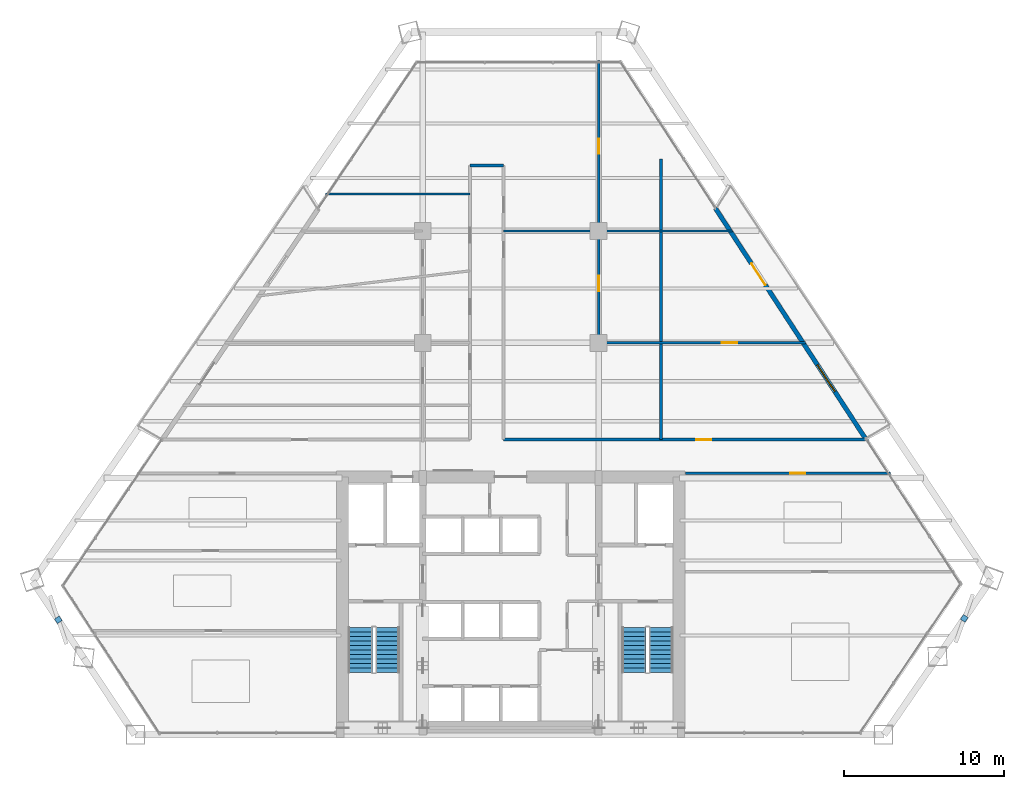
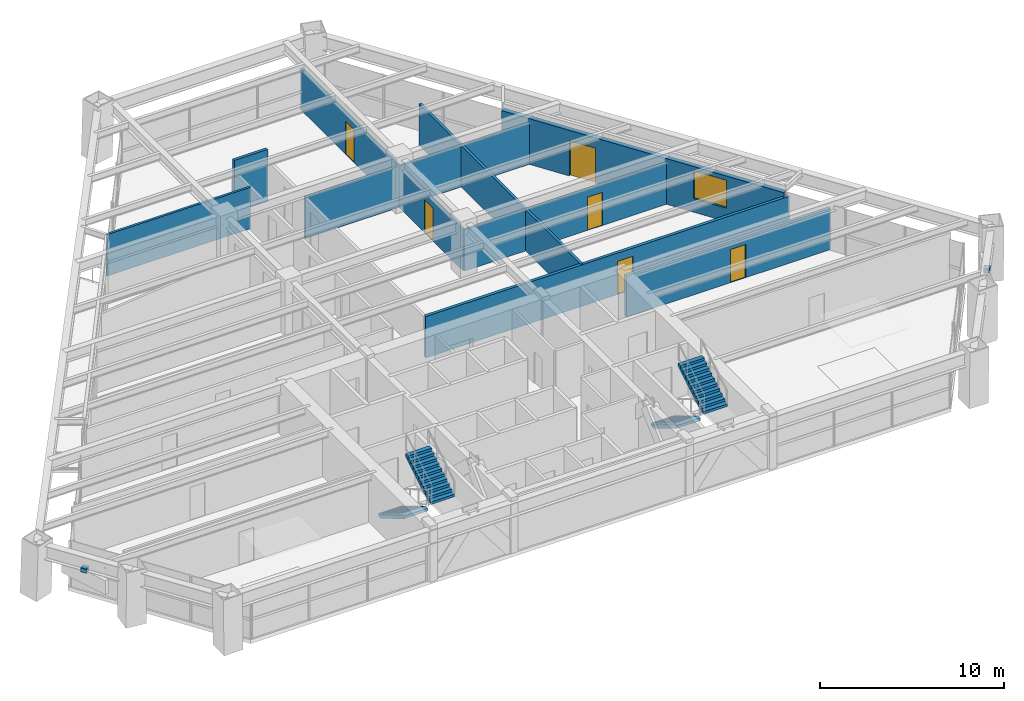
# One storey, part 12 of 14: 9 walls, 6 doors, 4 stair flights, 2 discrete accessories, 1 window, 7 openings, 2 elements without a shape of their own.
"""IFC4 building model written with IfcOpenShell, lengths in metres."""

from ifc_helpers import new_model, si_unit, direction, frame, frame_2d, origin, origin_2d, place, context, subcontext, project, spatial, polyline, rectangle, outline, extrude, source, transform, mapped, material, layer, layer_set, type_object, type_shapes, element, fill, aggregate, save


model = new_model("IFC4")

# Units and contexts
model_context = context("Model", 3, precision=1e-05, world=origin(), true_north=direction((0.0, 1.0)))
body_context = subcontext(model_context, "Body", "Model", "MODEL_VIEW")
ifc_project = project(units=[si_unit("LENGTHUNIT", "METRE"), si_unit("AREAUNIT", "SQUARE_METRE"), si_unit("VOLUMEUNIT", "CUBIC_METRE"), si_unit("PLANEANGLEUNIT", "RADIAN"), si_unit("MASSUNIT", "GRAM", prefix="KILO")], contexts=[model_context])

# Site, building, storey
site_placement = place(None, origin())
site = spatial("IfcSite", under=ifc_project, at=site_placement, CompositionType="ELEMENT")
building_placement = place(site_placement, origin())
building = spatial("IfcBuilding", under=site, at=building_placement, Name="Varnakhor Terracotta Tower", CompositionType="ELEMENT")
storey_placement = place(building_placement, frame((0.0, 0.0, 84.0)))
storey = spatial("IfcBuildingStorey", under=building, at=storey_placement, Name="L20", CompositionType="ELEMENT", Elevation=84.0)

# Wall, opening, door
ifc_material_1 = material(Name="Fire-Rated Gypsum Stud Partition", Category="gypsum")
ifc_layer_1 = layer(ifc_material_1, 0.18505859375, Name="Fire-Rated Gypsum Stud Partition")
ifc_layer_set_1 = layer_set([ifc_layer_1], Name="Fire-Rated Gypsum Stud Partition")
wall_type_1 = type_object("IfcWallType", Name="WAL-CORR-185", PredefinedType="PARTITIONING", material=ifc_layer_set_1)
wall_1_placement = place(storey_placement, frame((10.919921875, 16.35009765625, 0.0), z_axis=(0.0, 0.0, 1.0), x_axis=(1.0, 0.0, 0.0)))
wall_1 = element("IfcWall", 1, at=wall_1_placement, inside=storey, type_object=wall_type_1, Name="L20 South East Corridor Wall", PredefinedType="PARTITIONING", context=body_context, shape_type="SweptSolid", body=[
    extrude(rectangle(XDim=12.8251953125, YDim=0.18505859375, at=frame_2d((6.41259765625, 0.0))), origin(), (0.0, 0.0, 1.0), 2.7470703125),
])
opening_1_placement = place(wall_1_placement, frame((6.544921875, 0.0, 0.0)))
opening_1 = element("IfcOpeningElement", 2, at=opening_1_placement, cuts=wall_1, Name="Opening DR-94", PredefinedType="OPENING", context=body_context, shape_type="SweptSolid", body=[
    extrude(rectangle(XDim=0.949951171875, YDim=2.199951171875, at=frame_2d((0.47509765625, 1.10009765625))), frame((0.0, 0.1025390625, 0.0), z_axis=(0.0, -1.0, 0.0), x_axis=(1.0, 0.0, 0.0)), (0.0, 0.0, 1.0), 0.205078125),
])
ifc_material_2 = material(Name="Acoustic Glazed-Vision Timber Office Door", Category="wood")
door_type_1 = type_object("IfcDoorType", Name="DR-OFF-950X2200", OperationType="NOTDEFINED", PredefinedType="DOOR", material=ifc_material_2)
shared_shape_1 = source(origin(), body_context, "Body", "SweptSolid", [
    extrude(rectangle(XDim=0.949951171875, YDim=2.199951171875, at=frame_2d((0.47509765625, 1.10009765625))), frame((0.0, 0.02490234375, 0.0), z_axis=(0.0, -1.0, 0.0), x_axis=(1.0, 0.0, 0.0)), (0.0, 0.0, 1.0), 0.050048828125),
])
type_shapes(door_type_1, [shared_shape_1])
door_1_placement = place(opening_1_placement, origin())
door_1 = element("IfcDoor", 3, at=door_1_placement, inside=storey, type_object=door_type_1, Name="L20 SE Suite Door", OperationType="SINGLE_SWING_RIGHT", OverallHeight=2.199951171875, OverallWidth=0.949951171875, PredefinedType="DOOR", context=body_context, shape_type="MappedRepresentation", body=[
    mapped(shared_shape_1, transform((0.0, 0.0, 0.0), scale=1.0)),
])
fill(opening_1, door_1)

wall_2_placement = place(storey_placement, frame((-0.449951171875, 18.449951171875, 0.0), z_axis=(0.0, 0.0, 1.0), x_axis=(1.0, 0.0, 0.0)))
wall_2 = element("IfcWall", 4, at=wall_2_placement, inside=storey, type_object=wall_type_1, Name="L20 Corridor North East Wall", PredefinedType="PARTITIONING", context=body_context, shape_type="SweptSolid", body=[
    extrude(rectangle(XDim=22.82666015625, YDim=0.18505859375, at=frame_2d((11.413330078125, 0.0))), origin(), (0.0, 0.0, 1.0), 2.7470703125),
])
opening_2_placement = place(wall_2_placement, frame((12.045654296875, 0.0, 0.0)))
opening_2 = element("IfcOpeningElement", 5, at=opening_2_placement, cuts=wall_2, Name="Opening DR-94", PredefinedType="OPENING", context=body_context, shape_type="SweptSolid", body=[
    extrude(rectangle(XDim=0.949951171875, YDim=2.199951171875, at=frame_2d((0.47509765625, 1.10009765625))), frame((0.0, 0.1025390625, 0.0), z_axis=(0.0, -1.0, 0.0), x_axis=(1.0, 0.0, 0.0)), (0.0, 0.0, 1.0), 0.205078125),
])
door_2_placement = place(opening_2_placement, origin())
door_2 = element("IfcDoor", 6, at=door_2_placement, inside=storey, type_object=door_type_1, Name="L20 East Workplace Door", OperationType="SINGLE_SWING_RIGHT", OverallHeight=2.199951171875, OverallWidth=0.949951171875, PredefinedType="DOOR", context=body_context, shape_type="MappedRepresentation", body=[
    mapped(shared_shape_1, transform((0.0, 0.0, 0.0), scale=1.0)),
])
fill(opening_2, door_2)

# Wall
wall_3_placement = place(storey_placement, frame((-2.550048828125, 35.60009765625, 0.0), z_axis=(0.0, 0.0, 1.0), x_axis=(1.0, 0.0, 0.0)))
element("IfcWall", 7, at=wall_3_placement, inside=storey, type_object=wall_type_1, Name="L20 Spine North End Wall", PredefinedType="PARTITIONING", context=body_context, shape_type="SweptSolid", body=[
    extrude(rectangle(XDim=2.10009765625, YDim=0.18505859375, at=frame_2d((1.050048828125, 0.0))), origin(), (0.0, 0.0, 1.0), 3.44189453125),
])

# Wall, openings, door, window
ifc_material_3 = material(Name="Extruded Architectural Terracotta Assembly", Category="masonry")
ifc_layer_2 = layer(ifc_material_3, 0.280029296875, Name="Extruded Architectural Terracotta Assembly")
ifc_layer_set_2 = layer_set([ifc_layer_2], Name="Extruded Architectural Terracotta Assembly")
wall_type_2 = type_object("IfcWallType", Name="WAL-EXT-TERRACOTTA-280", PredefinedType="SOLIDWALL", material=ifc_layer_set_2)
wall_4_placement = place(storey_placement, frame((12.79638671875, 32.914306640625, 0.0), z_axis=(0.0, 0.0, 1.0), x_axis=(0.545943631237, -0.837821909186, 0.0)))
wall_4 = element("IfcWall", 8, at=wall_4_placement, inside=storey, type_object=wall_type_2, Name="L20 E Loggia Insulated Terracotta Wall", PredefinedType="SOLIDWALL", context=body_context, shape_type="SweptSolid", body=[
    extrude(rectangle(XDim=17.187255859375, YDim=0.280029296875, at=frame_2d((8.59375, 0.0))), origin(), (0.0, 0.0, 1.0), 3.030029296875),
])
opening_3_placement = place(wall_4_placement, frame((4.125, 0.0, 0.0)))
opening_3 = element("IfcOpeningElement", 9, at=opening_3_placement, cuts=wall_4, Name="Opening DR-62", PredefinedType="OPENING", context=body_context, shape_type="SweptSolid", body=[
    extrude(rectangle(XDim=1.60009765625, YDim=2.35009765625, at=frame_2d((0.800048828125, 1.175048828125))), frame((0.0, 0.14990234375, 0.0), z_axis=(0.0, -1.0, 0.0), x_axis=(1.0, 0.0, 0.0)), (0.0, 0.0, 1.0), 0.300048828125),
])
opening_4_placement = place(wall_4_placement, frame((11.6875, 0.0, 0.89990234375)))
opening_4 = element("IfcOpeningElement", 10, at=opening_4_placement, cuts=wall_4, Name="Opening WN-26", PredefinedType="OPENING", context=body_context, shape_type="SweptSolid", body=[
    extrude(rectangle(XDim=2.0, YDim=1.85009765625, at=frame_2d((1.0, 0.925048828125))), frame((0.0, 0.14990234375, 0.0), z_axis=(0.0, -1.0, 0.0), x_axis=(1.0, 0.0, 0.0)), (0.0, 0.0, 1.0), 0.300048828125),
])
ifc_material_4 = material(Name="Thermally Broken Sliding Glass Loggia Door", Category="glass")
door_type_2 = type_object("IfcDoorType", Name="DR-EXT-LOGGIA-1600X2350", OperationType="NOTDEFINED", PredefinedType="DOOR", material=ifc_material_4)
shared_shape_2 = source(origin(), body_context, "Body", "SweptSolid", [
    extrude(rectangle(XDim=1.60009765625, YDim=2.35009765625, at=frame_2d((0.800048828125, 1.175048828125))), frame((0.0, 0.02490234375, 0.0), z_axis=(0.0, -1.0, 0.0), x_axis=(1.0, 0.0, 0.0)), (0.0, 0.0, 1.0), 0.050048828125),
])
type_shapes(door_type_2, [shared_shape_2])
door_3_placement = place(opening_3_placement, origin())
door_3 = element("IfcDoor", 11, at=door_3_placement, inside=storey, type_object=door_type_2, Name="L20 E Recessed Loggia Sliding Door", OperationType="SLIDING_TO_RIGHT", OverallHeight=2.35009765625, OverallWidth=1.60009765625, PredefinedType="DOOR", context=body_context, shape_type="MappedRepresentation", body=[
    mapped(shared_shape_2, transform((0.0, 0.0, 0.0), scale=1.0)),
])
fill(opening_3, door_3)
ifc_material_5 = material(Name="Solar-Control Low-E Insulated Glass Unit", Category="glass")
window_type = type_object("IfcWindowType", Name="WIN-OFF-2200X2100", PartitioningType="SINGLE_PANEL", PredefinedType="WINDOW", material=ifc_material_5)
shared_shape_3 = source(origin(), body_context, "Body", "SweptSolid", [
    extrude(rectangle(XDim=2.0, YDim=1.85009765625, at=frame_2d((1.0, 0.925048828125))), frame((0.0, 0.030029296875, 0.0), z_axis=(0.0, -1.0, 0.0), x_axis=(1.0, 0.0, 0.0)), (0.0, 0.0, 1.0), 0.06005859375),
])
type_shapes(window_type, [shared_shape_3])
window_placement = place(opening_4_placement, origin())
window = element("IfcWindow", 12, at=window_placement, inside=storey, type_object=window_type, Name="L20 E Facet Punched Window", OverallHeight=1.85009765625, OverallWidth=2.0, PartitioningType="SINGLE_PANEL", PredefinedType="WINDOW", context=body_context, shape_type="MappedRepresentation", body=[
    mapped(shared_shape_3, transform((0.0, 0.0, 0.0), scale=1.0)),
])
fill(opening_4, window)

# Wall, openings, doors
ifc_material_6 = material(Name="Acoustic Metal-Stud Partition", Category="gypsum")
ifc_layer_3 = layer(ifc_material_6, 0.139892578125, Name="Acoustic Metal-Stud Partition")
ifc_layer_set_3 = layer_set([ifc_layer_3], Name="Acoustic Metal-Stud Partition")
wall_type_3 = type_object("IfcWallType", Name="WAL-PART-140", PredefinedType="PARTITIONING", material=ifc_layer_set_3)
wall_5_placement = place(storey_placement, frame((5.5, 24.5, 0.0), z_axis=(0.0, 0.0, 1.0), x_axis=(0.0, 1.0, 0.0)))
wall_5 = element("IfcWall", 13, at=wall_5_placement, inside=storey, type_object=wall_type_3, Name="L20 East Column Line Wall", PredefinedType="PARTITIONING", context=body_context, shape_type="SweptSolid", body=[
    extrude(rectangle(XDim=17.64453125, YDim=0.139892578125, at=frame_2d((8.822265625, 0.0))), origin(), (0.0, 0.0, 1.0), 2.7470703125),
])
opening_5_placement = place(wall_5_placement, frame((3.230224609375, 0.0, 0.0)))
opening_5 = element("IfcOpeningElement", 14, at=opening_5_placement, cuts=wall_5, Name="Opening DR-94", PredefinedType="OPENING", context=body_context, shape_type="SweptSolid", body=[
    extrude(rectangle(XDim=0.949951171875, YDim=2.199951171875, at=frame_2d((0.47509765625, 1.10009765625))), frame((0.0, 0.080078125, 0.0), z_axis=(0.0, -1.0, 0.0), x_axis=(1.0, 0.0, 0.0)), (0.0, 0.0, 1.0), 0.159912109375),
])
opening_6_placement = place(wall_5_placement, frame((11.8125, 0.0, 0.0)))
opening_6 = element("IfcOpeningElement", 15, at=opening_6_placement, cuts=wall_5, Name="Opening DR-94", PredefinedType="OPENING", context=body_context, shape_type="SweptSolid", body=[
    extrude(rectangle(XDim=0.949951171875, YDim=2.199951171875, at=frame_2d((0.47509765625, 1.10009765625))), frame((0.0, 0.080078125, 0.0), z_axis=(0.0, -1.0, 0.0), x_axis=(1.0, 0.0, 0.0)), (0.0, 0.0, 1.0), 0.159912109375),
])
door_4_placement = place(opening_5_placement, origin())
door_4 = element("IfcDoor", 16, at=door_4_placement, inside=storey, type_object=door_type_1, Name="L20 Focus Office B15 Door", OperationType="SINGLE_SWING_RIGHT", OverallHeight=2.199951171875, OverallWidth=0.949951171875, PredefinedType="DOOR", context=body_context, shape_type="MappedRepresentation", body=[
    mapped(shared_shape_1, transform((0.0, 0.0, 0.0), scale=1.0)),
])
fill(opening_5, door_4)
door_5_placement = place(opening_6_placement, origin())
door_5 = element("IfcDoor", 17, at=door_5_placement, inside=storey, type_object=door_type_1, Name="L20 Reception Lounge Door", OperationType="SINGLE_SWING_RIGHT", OverallHeight=2.199951171875, OverallWidth=0.949951171875, PredefinedType="DOOR", context=body_context, shape_type="MappedRepresentation", body=[
    mapped(shared_shape_1, transform((0.0, 0.0, 0.0), scale=1.0)),
])
fill(opening_6, door_5)

# Wall, opening, door
wall_6_placement = place(storey_placement, frame((5.5, 24.5, 0.0), z_axis=(0.0, 0.0, 1.0), x_axis=(1.0, 0.0, 0.0)))
wall_6 = element("IfcWall", 18, at=wall_6_placement, inside=storey, type_object=wall_type_3, Name="L20 Mid East Column Wall", PredefinedType="PARTITIONING", context=body_context, shape_type="SweptSolid", body=[
    extrude(rectangle(XDim=12.9345703125, YDim=0.139892578125, at=frame_2d((6.46728515625, 0.0))), origin(), (0.0, 0.0, 1.0), 2.7470703125),
])
opening_7_placement = place(wall_6_placement, frame((7.70556640625, 0.0, 0.0)))
opening_7 = element("IfcOpeningElement", 19, at=opening_7_placement, cuts=wall_6, Name="Opening DR-94", PredefinedType="OPENING", context=body_context, shape_type="SweptSolid", body=[
    extrude(rectangle(XDim=0.949951171875, YDim=2.199951171875, at=frame_2d((0.47509765625, 1.10009765625))), frame((0.0, 0.080078125, 0.0), z_axis=(0.0, -1.0, 0.0), x_axis=(1.0, 0.0, 0.0)), (0.0, 0.0, 1.0), 0.159912109375),
])
door_6_placement = place(opening_7_placement, origin())
door_6 = element("IfcDoor", 20, at=door_6_placement, inside=storey, type_object=door_type_1, Name="L20 Staff Dining Room Door", OperationType="SINGLE_SWING_LEFT", OverallHeight=2.199951171875, OverallWidth=0.949951171875, PredefinedType="DOOR", context=body_context, shape_type="MappedRepresentation", body=[
    mapped(shared_shape_1, transform((0.0, 0.0, 0.0), scale=1.0)),
])
fill(opening_7, door_6)

# Walls
wall_7_placement = place(storey_placement, frame((-11.557861328125, 33.800048828125, 0.0), z_axis=(0.0, 0.0, 1.0), x_axis=(1.0, 0.0, 0.0)))
element("IfcWall", 21, at=wall_7_placement, inside=storey, type_object=wall_type_3, Name="L20 West Wing Cut 4", PredefinedType="PARTITIONING", context=body_context, shape_type="SweptSolid", body=[
    extrude(rectangle(XDim=9.0078125, YDim=0.139892578125, at=frame_2d((4.50390625, 0.0))), origin(), (0.0, 0.0, 1.0), 2.7470703125),
])
wall_8_placement = place(storey_placement, frame((-0.449951171875, 31.5, 0.0), z_axis=(0.0, 0.0, 1.0), x_axis=(1.0, 0.0, 0.0)))
element("IfcWall", 22, at=wall_8_placement, inside=storey, type_object=wall_type_3, Name="L20 East Wing Cut 1", PredefinedType="PARTITIONING", context=body_context, shape_type="SweptSolid", body=[
    extrude(rectangle(XDim=14.3232421875, YDim=0.139892578125, at=frame_2d((7.16162109375, 0.0))), origin(), (0.0, 0.0, 1.0), 2.7470703125),
])
ifc_material_7 = material(Name="Acoustic Fire-Rated Partition", Category="gypsum")
ifc_layer_4 = layer(ifc_material_7, 0.1650390625, Name="Acoustic Fire-Rated Partition")
ifc_layer_set_4 = layer_set([ifc_layer_4], Name="Acoustic Fire-Rated Partition")
wall_type_4 = type_object("IfcWallType", Name="WAL-TENANCY-165", PredefinedType="PARTITIONING", material=ifc_layer_set_4)
wall_9_placement = place(storey_placement, frame((9.39990234375, 18.449951171875, 0.0), z_axis=(0.0, 0.0, 1.0), x_axis=(0.0, 1.0, 0.0)))
element("IfcWall", 23, at=wall_9_placement, inside=storey, type_object=wall_type_4, Name="L20 East Cellular Line", PredefinedType="PARTITIONING", context=body_context, shape_type="SweptSolid", body=[
    extrude(rectangle(XDim=17.550048828125, YDim=0.1650390625, at=frame_2d((8.77490234375, 0.0))), origin(), (0.0, 0.0, 1.0), 2.7470703125),
])

# Stair, stair flights
ifc_material_8 = material(Name="Concrete C40/50", Category="concrete")
stair_type = type_object("IfcStairType", Name="STR-CORE-OFFICE-1500", PredefinedType="HALF_TURN_STAIR", material=ifc_material_8)
stair_1_placement = place(storey_placement, origin())
stair_1 = element("IfcStair", 24, at=stair_1_placement, inside=storey, type_object=stair_type, Name="L20 Core Exit Stair ST-1", PredefinedType="HALF_TURN_STAIR")
stair_flight_type = type_object("IfcStairFlightType", Name="FLT-CORE-1500", PredefinedType="STRAIGHT", material=ifc_material_8)
stair_flight_1_placement = place(storey_placement, frame((-9.39990234375, 6.7099609375, 0.0), z_axis=(0.0, 0.0, 1.0), x_axis=(0.0, -1.0, 0.0)))
stair_flight_1 = element("IfcStairFlight", 25, at=stair_flight_1_placement, type_object=stair_flight_type, Name="ST-1 flight 1", NumberOfRisers=11, NumberOfTreads=10, PredefinedType="STRAIGHT", RiserHeight=0.168181818, TreadLength=0.28, context=body_context, shape_type="SweptSolid", body=[
    extrude(outline(polyline([(0.0, 0.0), (0.0, 0.168212890625), (0.280029296875, 0.168212890625), (0.280029296875, 0.33642578125), (0.56005859375, 0.33642578125), (0.56005859375, 0.504638671875), (0.840087890625, 0.504638671875), (0.840087890625, 0.672607421875), (1.1201171875, 0.672607421875), (1.1201171875, 0.8408203125), (1.39990234375, 0.8408203125), (1.39990234375, 1.009033203125), (1.679931640625, 1.009033203125), (1.679931640625, 1.17724609375), (1.9599609375, 1.17724609375), (1.9599609375, 1.345458984375), (2.239990234375, 1.345458984375), (2.239990234375, 1.513671875), (2.52001953125, 1.513671875), (2.52001953125, 1.681884765625), (2.800048828125, 1.681884765625), (2.800048828125, 1.85009765625), (2.800048828125, 1.495361328125), (0.310546875, 0.0), (0.0, 0.0)])), frame((0.0, 0.75, 0.0), z_axis=(0.0, -1.0, 0.0), x_axis=(1.0, 0.0, 0.0)), (0.0, 0.0, 1.0), 1.5),
])
stair_flight_2_placement = place(storey_placement, frame((-7.699951171875, 3.909912109375, 1.85009765625), z_axis=(0.0, 0.0, 1.0), x_axis=(0.0, 1.0, 0.0)))
stair_flight_2 = element("IfcStairFlight", 26, at=stair_flight_2_placement, type_object=stair_flight_type, Name="ST-1 flight 2", NumberOfRisers=11, NumberOfTreads=10, PredefinedType="STRAIGHT", RiserHeight=0.168181818, TreadLength=0.28, context=body_context, shape_type="SweptSolid", body=[
    extrude(outline(polyline([(0.0, 0.0), (0.0, 0.168212890625), (0.280029296875, 0.168212890625), (0.280029296875, 0.33642578125), (0.56005859375, 0.33642578125), (0.56005859375, 0.504638671875), (0.840087890625, 0.504638671875), (0.840087890625, 0.672607421875), (1.1201171875, 0.672607421875), (1.1201171875, 0.8408203125), (1.39990234375, 0.8408203125), (1.39990234375, 1.009033203125), (1.679931640625, 1.009033203125), (1.679931640625, 1.17724609375), (1.9599609375, 1.17724609375), (1.9599609375, 1.345458984375), (2.239990234375, 1.345458984375), (2.239990234375, 1.513671875), (2.52001953125, 1.513671875), (2.52001953125, 1.681884765625), (2.800048828125, 1.681884765625), (2.800048828125, 1.85009765625), (2.800048828125, 1.495361328125), (0.310546875, 0.0), (0.0, 0.0)])), frame((0.0, 0.75, 0.0), z_axis=(0.0, -1.0, 0.0), x_axis=(1.0, 0.0, 0.0)), (0.0, 0.0, 1.0), 1.5),
])
aggregate(stair_1, [stair_flight_1, stair_flight_2])

stair_2_placement = place(storey_placement, origin())
stair_2 = element("IfcStair", 27, at=stair_2_placement, inside=storey, type_object=stair_type, Name="L20 Core Exit Stair ST-2", PredefinedType="HALF_TURN_STAIR")
stair_flight_3_placement = place(storey_placement, frame((7.699951171875, 6.7099609375, 0.0), z_axis=(0.0, 0.0, 1.0), x_axis=(0.0, -1.0, 0.0)))
stair_flight_3 = element("IfcStairFlight", 28, at=stair_flight_3_placement, type_object=stair_flight_type, Name="ST-2 flight 1", NumberOfRisers=11, NumberOfTreads=10, PredefinedType="STRAIGHT", RiserHeight=0.168181818, TreadLength=0.28, context=body_context, shape_type="SweptSolid", body=[
    extrude(outline(polyline([(0.0, 0.0), (0.0, 0.168212890625), (0.280029296875, 0.168212890625), (0.280029296875, 0.33642578125), (0.56005859375, 0.33642578125), (0.56005859375, 0.504638671875), (0.840087890625, 0.504638671875), (0.840087890625, 0.672607421875), (1.1201171875, 0.672607421875), (1.1201171875, 0.8408203125), (1.39990234375, 0.8408203125), (1.39990234375, 1.009033203125), (1.679931640625, 1.009033203125), (1.679931640625, 1.17724609375), (1.9599609375, 1.17724609375), (1.9599609375, 1.345458984375), (2.239990234375, 1.345458984375), (2.239990234375, 1.513671875), (2.52001953125, 1.513671875), (2.52001953125, 1.681884765625), (2.800048828125, 1.681884765625), (2.800048828125, 1.85009765625), (2.800048828125, 1.495361328125), (0.310546875, 0.0), (0.0, 0.0)])), frame((0.0, 0.75, 0.0), z_axis=(0.0, -1.0, 0.0), x_axis=(1.0, 0.0, 0.0)), (0.0, 0.0, 1.0), 1.5),
])
stair_flight_4_placement = place(storey_placement, frame((9.39990234375, 3.909912109375, 1.85009765625), z_axis=(0.0, 0.0, 1.0), x_axis=(0.0, 1.0, 0.0)))
stair_flight_4 = element("IfcStairFlight", 29, at=stair_flight_4_placement, type_object=stair_flight_type, Name="ST-2 flight 2", NumberOfRisers=11, NumberOfTreads=10, PredefinedType="STRAIGHT", RiserHeight=0.168181818, TreadLength=0.28, context=body_context, shape_type="SweptSolid", body=[
    extrude(outline(polyline([(0.0, 0.0), (0.0, 0.168212890625), (0.280029296875, 0.168212890625), (0.280029296875, 0.33642578125), (0.56005859375, 0.33642578125), (0.56005859375, 0.504638671875), (0.840087890625, 0.504638671875), (0.840087890625, 0.672607421875), (1.1201171875, 0.672607421875), (1.1201171875, 0.8408203125), (1.39990234375, 0.8408203125), (1.39990234375, 1.009033203125), (1.679931640625, 1.009033203125), (1.679931640625, 1.17724609375), (1.9599609375, 1.17724609375), (1.9599609375, 1.345458984375), (2.239990234375, 1.345458984375), (2.239990234375, 1.513671875), (2.52001953125, 1.513671875), (2.52001953125, 1.681884765625), (2.800048828125, 1.681884765625), (2.800048828125, 1.85009765625), (2.800048828125, 1.495361328125), (0.310546875, 0.0), (0.0, 0.0)])), frame((0.0, 0.75, 0.0), z_axis=(0.0, -1.0, 0.0), x_axis=(1.0, 0.0, 0.0)), (0.0, 0.0, 1.0), 1.5),
])
aggregate(stair_2, [stair_flight_3, stair_flight_4])

# Discrete accessories
ifc_material_9 = material(Name="Stainless Steel Fixing Bracket", Category="steel")
discrete_accessory_type = type_object("IfcDiscreteAccessoryType", Name="BRACKET-TERRACOTTA-SCREEN", PredefinedType="BRACKET", material=ifc_material_9)
shared_shape_4 = source(origin(), body_context, "Body", "SweptSolid", [
    extrude(rectangle(XDim=0.35009765625, YDim=0.35009765625, at=origin_2d()), origin(), (0.0, 0.0, 1.0), 0.280029296875),
])
type_shapes(discrete_accessory_type, [shared_shape_4])
for number, where, z_axis, x_axis, name in (
    (30, (28.354736328125, 7.274169921875, 2.39306640625), (0.0, 0.0, 1.0), (0.56719708019, 0.823582098047, 0.0), "L20 E Screen Fixing Bracket"),
    (31, (-28.277587890625, 7.1904296875, 2.39306640625), (0.0, 0.0, 1.0), (0.553725860662, -0.832699028001, 0.0), "L20 W Screen Fixing Bracket"),
):
    element("IfcDiscreteAccessory", number, at=place(storey_placement, frame(where, z_axis=z_axis, x_axis=x_axis)), inside=storey, type_object=discrete_accessory_type, Name=name, PredefinedType="BRACKET", context=body_context, shape_type="MappedRepresentation", body=[
        mapped(shared_shape_4, transform((0.0, 0.0, 0.0), scale=1.0)),
    ])

save(model, "model.ifc")
